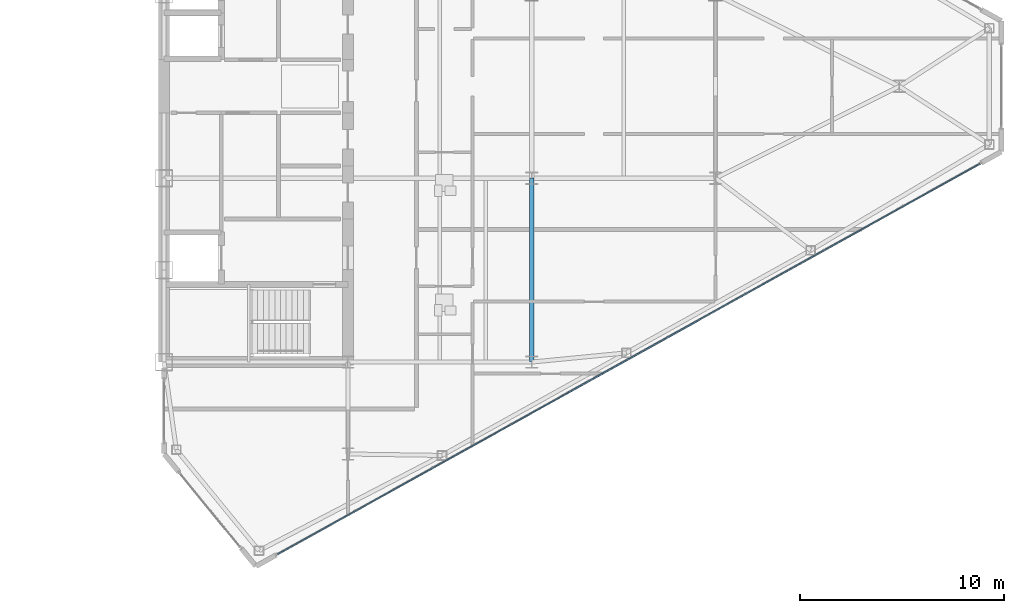
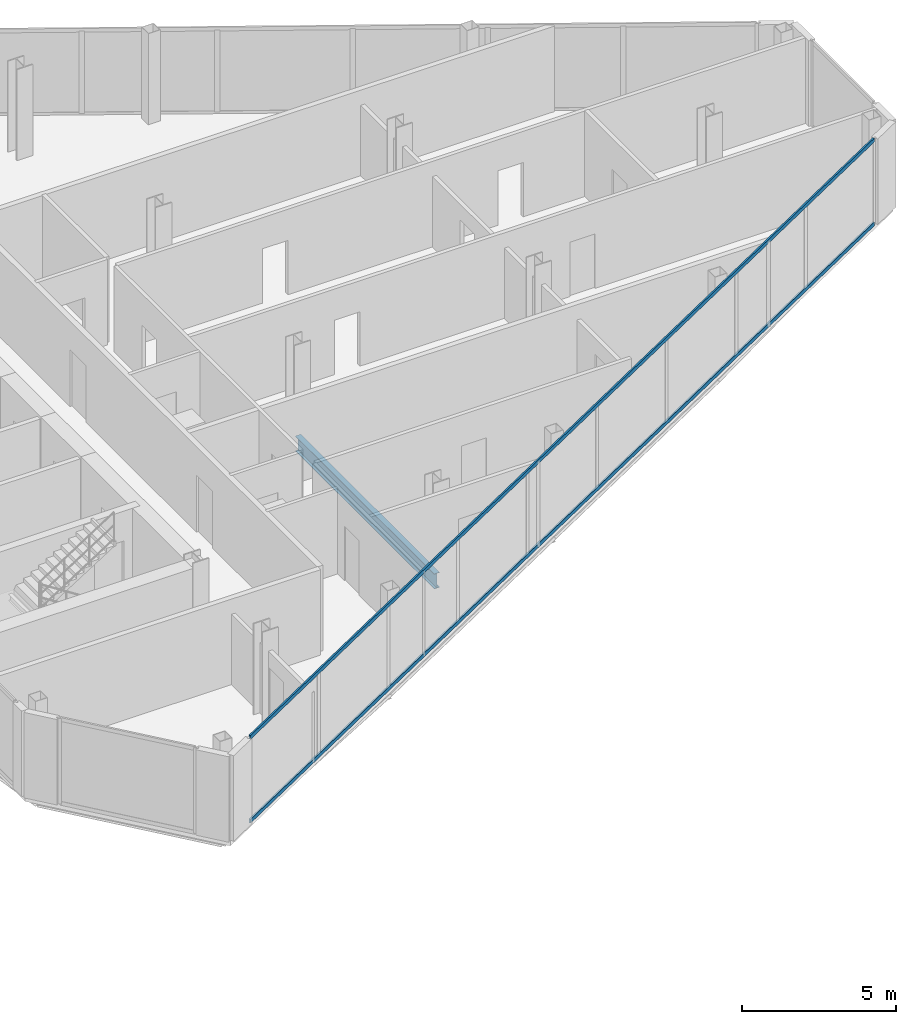
# One storey, part 12 of 26: 2 members, 1 beam, 1 element without a shape of its own.
"""IFC4 building model written with IfcOpenShell, lengths in metres."""

from ifc_helpers import new_model, si_unit, direction, frame, origin, origin_2d, place, context, subcontext, project, spatial, rectangle, i_section, extrude, source, transform, mapped, material, layer, layer_set, material_profile, profile_set, type_object, type_shapes, element, aggregate, save


model = new_model("IFC4")

# Units and contexts
model_context = context("Model", 3, precision=1e-05, world=origin(), true_north=direction((0.0, 1.0)))
body_context = subcontext(model_context, "Body", "Model", "MODEL_VIEW")
ifc_project = project(units=[si_unit("LENGTHUNIT", "METRE"), si_unit("AREAUNIT", "SQUARE_METRE"), si_unit("VOLUMEUNIT", "CUBIC_METRE"), si_unit("PLANEANGLEUNIT", "RADIAN"), si_unit("MASSUNIT", "GRAM", prefix="KILO")], contexts=[model_context])

# Site, building, storey
site_placement = place(None, origin())
site = spatial("IfcSite", under=ifc_project, at=site_placement, CompositionType="ELEMENT")
building_placement = place(site_placement, origin())
building = spatial("IfcBuilding", under=site, at=building_placement, Name="Seokmaru Belvedere", CompositionType="ELEMENT")
storey_placement = place(building_placement, frame((0.0, 0.0, 167.10009765625)))
storey = spatial("IfcBuildingStorey", under=building, at=storey_placement, Name="L44", CompositionType="ELEMENT", Elevation=167.10009765625)

# Beam
ifc_material_1 = material(Name="Steel SM355 (355 MPa)", Category="steel")
ifc_material_profile_1 = material_profile(ifc_material_1, i_section(OverallWidth=0.199951171875, OverallDepth=0.60009765625, WebThickness=0.010986328125, FlangeThickness=0.01708984375, at=origin_2d()), Name="H-600x200x11x17")
ifc_profile_set_1 = profile_set([ifc_material_profile_1], Name="Steel SM355 (355 MPa)")
beam_type = type_object("IfcBeamType", Name="Primary Floor Girder H-600", PredefinedType="BEAM", material=ifc_profile_set_1)
shared_shape_1 = source(origin(), body_context, "Body", "SweptSolid", [
    extrude(i_section(OverallWidth=0.199951171875, OverallDepth=0.60009765625, WebThickness=0.010986328125, FlangeThickness=0.01708984375, at=origin_2d()), origin(), (0.0, 0.0, 1.0), 9.0),
])
type_shapes(beam_type, [shared_shape_1])
beam_placement = place(storey_placement, frame((45.5, -13.5, -0.52001953125), z_axis=(0.0, 1.0, 0.0), x_axis=(-1.0, 0.0, 0.0)))
element("IfcBeam", 1, at=beam_placement, inside=storey, type_object=beam_type, Name="L44 E Interior Grid Girder 1", PredefinedType="BEAM", context=body_context, shape_type="MappedRepresentation", body=[
    mapped(shared_shape_1, transform((0.0, 0.0, 0.0), scale=1.0)),
])

# Curtain wall, members
ifc_material_2 = material(Name="Bronze Triple Insulating Glass", Category="glass")
ifc_layer = layer(ifc_material_2, 0.179931640625)
ifc_layer_set = layer_set([ifc_layer], Name="Bronze Triple Insulating Glass")
curtain_wall_type = type_object("IfcCurtainWallType", Name="High-Rise Wind-Corner Curtain Wall System CW-5", PredefinedType="NOTDEFINED", material=ifc_layer_set)
curtain_wall_placement = place(storey_placement, origin())
curtain_wall = element("IfcCurtainWall", 2, at=curtain_wall_placement, inside=storey, type_object=curtain_wall_type, Name="L44 Curtain Wall EF1", PredefinedType="NOTDEFINED")
ifc_material_3 = material(Name="Anodised Bronze Aluminium", Category="aluminium")
ifc_material_profile_2 = material_profile(ifc_material_3, rectangle(XDim=0.06494140625, YDim=0.14990234375, at=origin_2d()), Name="CW-T-65x150")
ifc_profile_set_2 = profile_set([ifc_material_profile_2], Name="Anodised Bronze Aluminium")
member_type = type_object("IfcMemberType", Name="Bronze Unitised Transom 65x150", PredefinedType="USERDEFINED", material=ifc_profile_set_2)
shared_shape_2 = source(origin(), body_context, "Body", "SweptSolid", [
    extrude(rectangle(XDim=0.06494140625, YDim=0.14990234375, at=origin_2d()), origin(), (0.0, 0.0, 1.0), 39.33544921875),
])
type_shapes(member_type, [shared_shape_2])
member_1_placement = place(storey_placement, frame((33.061767578125, -22.909423828125, 0.032470703125), z_axis=(0.873932045133, 0.486048125693, 0.0), x_axis=(-0.486048125693, 0.873932045133, 0.0)))
member_1 = element("IfcMember", 3, at=member_1_placement, type_object=member_type, Name="CW:L44:EF1 Continuous Transom 1", ObjectType="TRANSOM", PredefinedType="USERDEFINED", context=body_context, shape_type="MappedRepresentation", body=[
    mapped(shared_shape_2, transform((0.0, 0.0, 0.0), scale=1.0)),
])
member_2_placement = place(storey_placement, frame((33.061767578125, -22.909423828125, 3.347412109375), z_axis=(0.873932045133, 0.486048125693, 0.0), x_axis=(-0.486048125693, 0.873932045133, 0.0)))
member_2 = element("IfcMember", 4, at=member_2_placement, type_object=member_type, Name="CW:L44:EF1 Continuous Transom 2", ObjectType="TRANSOM", PredefinedType="USERDEFINED", context=body_context, shape_type="MappedRepresentation", body=[
    mapped(shared_shape_2, transform((0.0, 0.0, 0.0), scale=1.0)),
])
aggregate(curtain_wall, [member_1, member_2])

save(model, "model.ifc")
